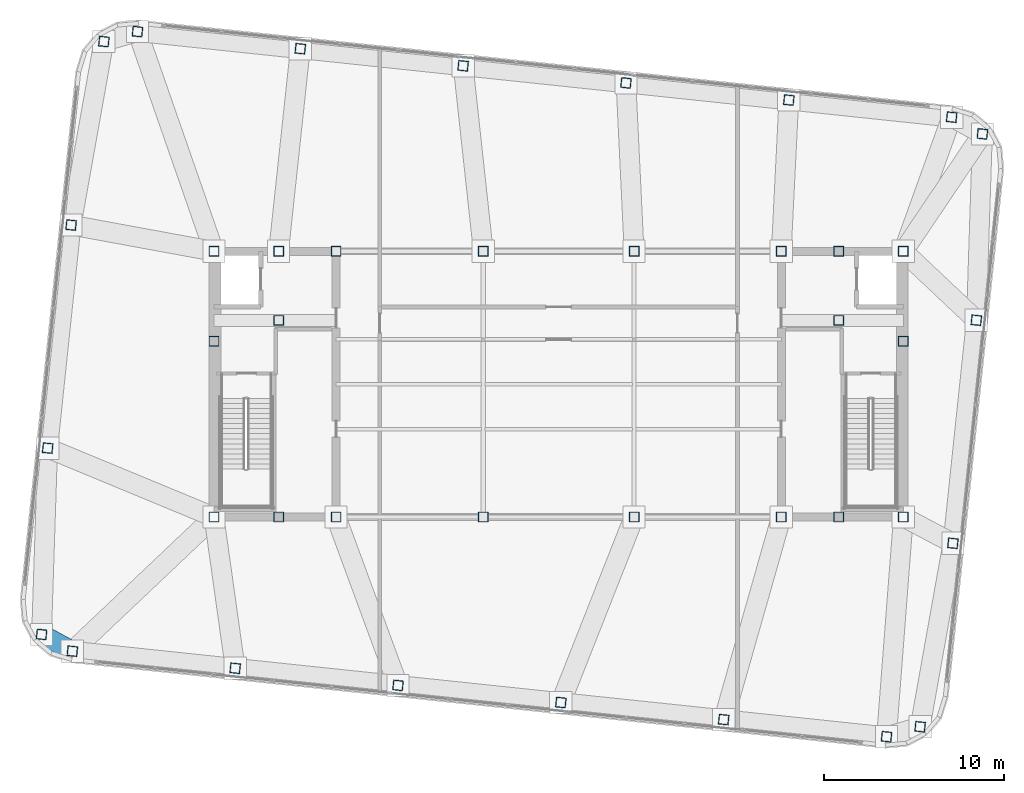
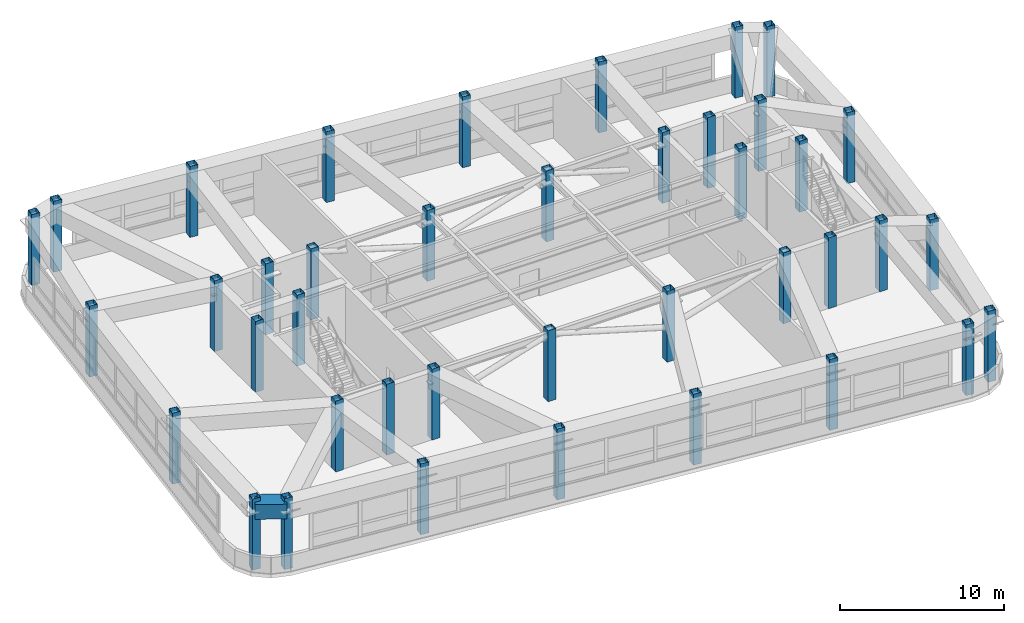
# One storey, part 1 of 23: 40 columns, 1 beam.
"""IFC4 building model written with IfcOpenShell, lengths in metres."""

from ifc_helpers import new_model, si_unit, direction, frame, origin, origin_2d, place, context, subcontext, project, spatial, hollow_rectangle, extrude, material, material_profile, profile_set, type_object, element, save


model = new_model("IFC4")

# Units and contexts
model_context = context("Model", 3, precision=1e-05, world=origin(), true_north=direction((0.0, 1.0)))
body_context = subcontext(model_context, "Body", "Model", "MODEL_VIEW")
ifc_project = project(units=[si_unit("LENGTHUNIT", "METRE"), si_unit("AREAUNIT", "SQUARE_METRE"), si_unit("VOLUMEUNIT", "CUBIC_METRE"), si_unit("PLANEANGLEUNIT", "RADIAN"), si_unit("MASSUNIT", "GRAM", prefix="KILO")], contexts=[model_context])

# Site, building, storey
site_placement = place(None, origin())
site = spatial("IfcSite", under=ifc_project, at=site_placement, CompositionType="ELEMENT")
building_placement = place(site_placement, origin())
building = spatial("IfcBuilding", under=site, at=building_placement, Name="Voryun Gate Residences", CompositionType="ELEMENT")
storey_placement = place(building_placement, frame((0.0, 0.0, 316.0)))
storey = spatial("IfcBuildingStorey", under=building, at=storey_placement, Name="L78", CompositionType="ELEMENT", Elevation=316.0)

# Columns
ifc_material_1 = material(Name="Steel SM355", Category="steel")
ifc_material_profile_1 = material_profile(ifc_material_1, hollow_rectangle(XDim=0.550048828125, YDim=0.550048828125, WallThickness=0.02197265625, at=origin_2d()), Name="BOX-550x550x22")
ifc_profile_set_1 = profile_set([ifc_material_profile_1], Name="Steel SM355")
column_type = type_object("IfcColumnType", Name="COL_CROWN_550", PredefinedType="COLUMN", material=ifc_profile_set_1)
for number, where, z_axis, x_axis, name in (
    (1, (-19.199951171875, -7.39990234375, 0.0), (0.0, 0.0, 1.0), (1.0, 0.0, 0.0), "L78 Core boundary column WC-SW"),
    (2, (-19.199951171875, 2.39990234375, 0.0), (0.0, 0.0, 1.0), (1.0, 0.0, 0.0), "L78 Core boundary column WC-MW"),
    (3, (-19.199951171875, 7.39990234375, 0.0), (0.0, 0.0, 1.0), (1.0, 0.0, 0.0), "L78 Core boundary column WC-NW"),
    (4, (-15.60009765625, -7.39990234375, 0.0), (0.0, 0.0, 1.0), (1.0, 0.0, 0.0), "L78 Core boundary column WC-SM"),
    (5, (-15.60009765625, 7.39990234375, 0.0), (0.0, 0.0, 1.0), (1.0, 0.0, 0.0), "L78 Core boundary column WC-NM"),
    (6, (-12.39990234375, -7.39990234375, 0.0), (0.0, 0.0, 1.0), (1.0, 0.0, 0.0), "L78 Core boundary column WC-SE"),
    (7, (-15.60009765625, 3.550048828125, 0.0), (0.0, 0.0, 1.0), (1.0, 0.0, 0.0), "L78 Core boundary column WC-MM"),
    (8, (-12.39990234375, 7.39990234375, 0.0), (0.0, 0.0, 1.0), (1.0, 0.0, 0.0), "L78 Core boundary column WC-NE"),
    (9, (12.39990234375, -7.39990234375, 0.0), (0.0, 0.0, 1.0), (1.0, 0.0, 0.0), "L78 Core boundary column EC-SW"),
    (10, (15.60009765625, 3.550048828125, 0.0), (0.0, 0.0, 1.0), (1.0, 0.0, 0.0), "L78 Core boundary column EC-MM"),
    (11, (12.39990234375, 7.39990234375, 0.0), (0.0, 0.0, 1.0), (1.0, 0.0, 0.0), "L78 Core boundary column EC-NW"),
    (12, (15.60009765625, -7.39990234375, 0.0), (0.0, 0.0, 1.0), (1.0, 0.0, 0.0), "L78 Core boundary column EC-SM"),
    (13, (15.60009765625, 7.39990234375, 0.0), (0.0, 0.0, 1.0), (1.0, 0.0, 0.0), "L78 Core boundary column EC-NM"),
    (14, (19.199951171875, -7.39990234375, 0.0), (0.0, 0.0, 1.0), (1.0, 0.0, 0.0), "L78 Core boundary column EC-SE"),
    (15, (19.199951171875, 2.39990234375, 0.0), (0.0, 0.0, 1.0), (1.0, 0.0, 0.0), "L78 Core boundary column EC-ME"),
    (16, (19.199951171875, 7.39990234375, 0.0), (0.0, 0.0, 1.0), (1.0, 0.0, 0.0), "L78 Core boundary column EC-NE"),
    (17, (-4.199951171875, -7.39990234375, 0.0), (0.0, 0.0, 1.0), (1.0, 0.0, 0.0), "L78 Interior spine column SP-WS"),
    (18, (-4.199951171875, 7.39990234375, 0.0), (0.0, 0.0, 1.0), (1.0, 0.0, 0.0), "L78 Interior spine column SP-WN"),
    (19, (4.199951171875, -7.39990234375, 0.0), (0.0, 0.0, 1.0), (1.0, 0.0, 0.0), "L78 Interior spine column SP-ES"),
    (20, (4.199951171875, 7.39990234375, 0.0), (0.0, 0.0, 1.0), (1.0, 0.0, 0.0), "L78 Interior spine column SP-EN"),
    (21, (-27.088623046875, -14.871826171875, 0.0), (0.0, 0.0, 1.0), (0.994521895368, -0.104528463268, 0.0), "L78 Crown Frame column S1"),
    (22, (-18.0185546875, -15.824951171875, 0.0), (0.0, 0.0, 1.0), (0.994521895368, -0.104528463268, 0.0), "L78 Crown Frame column S2"),
    (23, (-8.948486328125, -16.7783203125, 0.0), (0.0, 0.0, 1.0), (0.994521895368, -0.104528463268, 0.0), "L78 Crown Frame column S3"),
    (24, (0.121337890625, -17.731689453125, 0.0), (0.0, 0.0, 1.0), (0.994521895368, -0.104528463268, 0.0), "L78 Crown Frame column S4"),
    (25, (9.19140625, -18.684814453125, 0.0), (0.0, 0.0, 1.0), (0.994521895368, -0.104528463268, 0.0), "L78 Crown Frame column S5"),
    (26, (18.261474609375, -19.63818359375, 0.0), (0.0, 0.0, 1.0), (0.994521895368, -0.104528463268, 0.0), "L78 Crown Frame column S6"),
    (27, (20.1328125, -19.083984375, 0.0), (0.0, 0.0, 1.0), (0.994521895368, -0.104528463268, 0.0), "L78 Crown Frame column CSE"),
    (28, (21.958251953125, -8.861572265625, 0.0), (0.0, 0.0, 1.0), (0.994521895368, -0.104528463268, 0.0), "L78 Crown Frame column E1"),
    (29, (23.263916015625, 3.56201171875, 0.0), (0.0, 0.0, 1.0), (0.994521895368, -0.104528463268, 0.0), "L78 Crown Frame column E2"),
    (30, (23.603759765625, 13.9404296875, 0.0), (0.0, 0.0, 1.0), (0.994521895368, -0.104528463268, 0.0), "L78 Crown Frame column CNE"),
    (31, (21.888671875, 14.871826171875, 0.0), (0.0, 0.0, 1.0), (0.994521895368, -0.104528463268, 0.0), "L78 Crown Frame column N1"),
    (32, (12.818603515625, 15.824951171875, 0.0), (0.0, 0.0, 1.0), (0.994521895368, -0.104528463268, 0.0), "L78 Crown Frame column N2"),
    (33, (3.74853515625, 16.7783203125, 0.0), (0.0, 0.0, 1.0), (0.994521895368, -0.104528463268, 0.0), "L78 Crown Frame column N3"),
    (34, (-5.321533203125, 17.731689453125, 0.0), (0.0, 0.0, 1.0), (0.994521895368, -0.104528463268, 0.0), "L78 Crown Frame column N4"),
    (35, (-14.3916015625, 18.684814453125, 0.0), (0.0, 0.0, 1.0), (0.994521895368, -0.104528463268, 0.0), "L78 Crown Frame column N5"),
    (36, (-23.46142578125, 19.63818359375, 0.0), (0.0, 0.0, 1.0), (0.994521895368, -0.104528463268, 0.0), "L78 Crown Frame column N6"),
    (37, (-25.332763671875, 19.083984375, 0.0), (0.0, 0.0, 1.0), (0.994521895368, -0.104528463268, 0.0), "L78 Crown Frame column CNW"),
    (38, (-27.158203125, 8.861572265625, 0.0), (0.0, 0.0, 1.0), (0.994521895368, -0.104528463268, 0.0), "L78 Crown Frame column W1"),
    (39, (-28.464111328125, -3.56201171875, 0.0), (0.0, 0.0, 1.0), (0.994521895368, -0.104528463268, 0.0), "L78 Crown Frame column W2"),
    (40, (-28.8037109375, -13.9404296875, 0.0), (0.0, 0.0, 1.0), (0.994521895368, -0.104528463268, 0.0), "L78 Crown Frame column CSW"),
):
    element("IfcColumn", number, at=place(storey_placement, frame(where, z_axis=z_axis, x_axis=x_axis)), inside=storey, type_object=column_type, Name=name, PredefinedType="COLUMN", context=body_context, shape_type="SweptSolid", body=[
        extrude(hollow_rectangle(XDim=0.550048828125, YDim=0.550048828125, WallThickness=0.02197265625, at=origin_2d()), origin(), (0.0, 0.0, 1.0), 5.300048828125),
    ])

# Beam
ifc_material_2 = material(Name="Steel SM420", Category="steel")
ifc_material_profile_2 = material_profile(ifc_material_2, hollow_rectangle(XDim=1.10009765625, YDim=1.10009765625, WallThickness=0.035888671875, at=origin_2d()), Name="BOX-1100x1100x36")
ifc_profile_set_2 = profile_set([ifc_material_profile_2], Name="Steel SM420")
beam_type = type_object("IfcBeamType", Name="BM_ARCH_RIB", PredefinedType="USERDEFINED", material=ifc_profile_set_2)
beam_placement = place(storey_placement, frame((-28.8037109375, -13.9404296875, 4.47509765625), z_axis=(0.87877849121, -0.477229885262, 0.0), x_axis=(0.477229885262, 0.87877849121, 0.0)))
element("IfcBeam", 41, at=beam_placement, inside=storey, type_object=beam_type, Name="BM-L78-SPAND-20", ObjectType="GIRDER", PredefinedType="USERDEFINED", context=body_context, shape_type="SweptSolid", body=[
    extrude(hollow_rectangle(XDim=1.10009765625, YDim=1.10009765625, WallThickness=0.035888671875, at=origin_2d()), origin(), (0.0, 0.0, 1.0), 1.95166015625),
])

save(model, "model.ifc")
